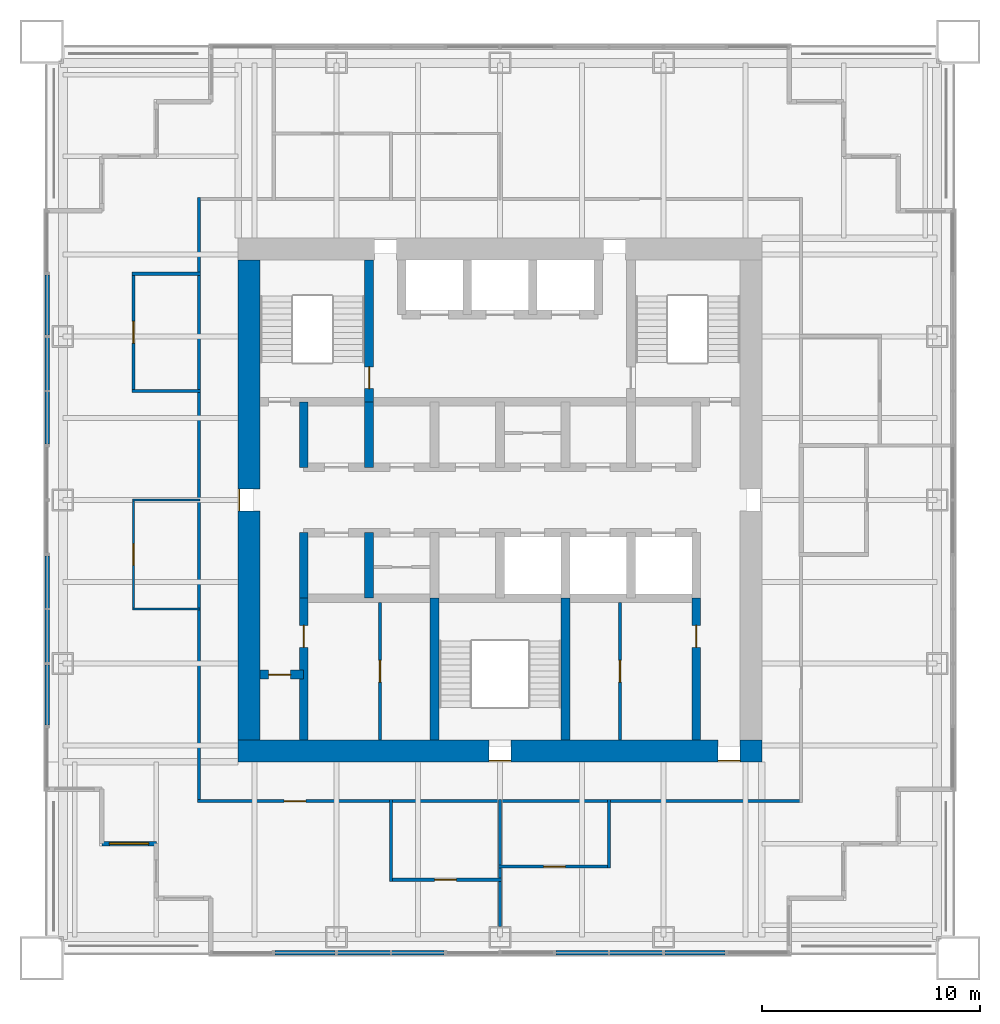
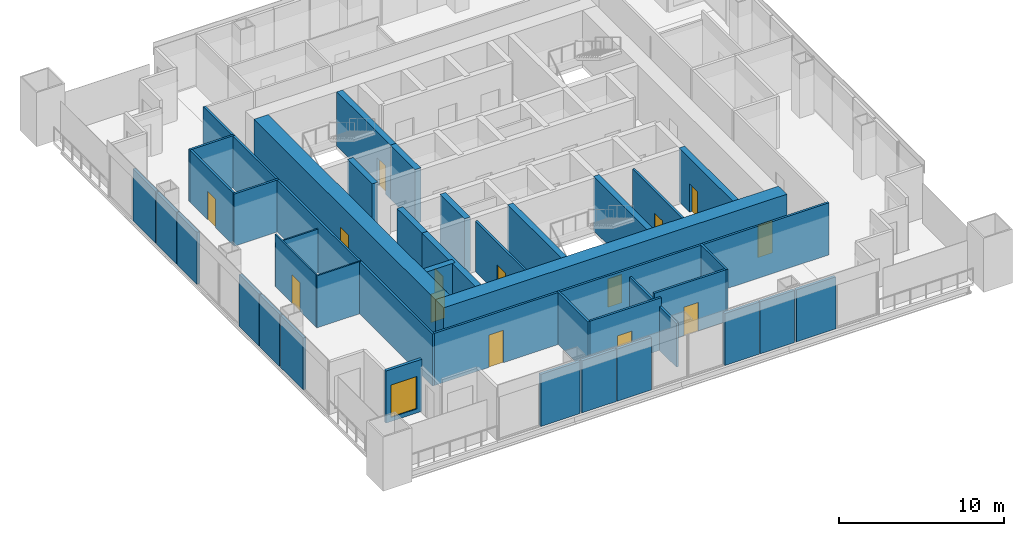
# One storey, part 9 of 14: 40 walls, 14 doors, 1 window, 15 openings.
"""IFC4 building model written with IfcOpenShell, lengths in metres."""

from ifc_helpers import new_model, si_unit, direction, frame, frame_2d, origin, place, context, subcontext, project, spatial, rectangle, extrude, material, layer, layer_set, type_object, element, fill, save


model = new_model("IFC4")

# Units and contexts
model_context = context("Model", 3, precision=1e-05, world=origin(), true_north=direction((0.0, 1.0)))
body_context = subcontext(model_context, "Body", "Model", "MODEL_VIEW")
ifc_project = project(units=[si_unit("LENGTHUNIT", "METRE"), si_unit("AREAUNIT", "SQUARE_METRE"), si_unit("VOLUMEUNIT", "CUBIC_METRE"), si_unit("PLANEANGLEUNIT", "RADIAN"), si_unit("MASSUNIT", "GRAM", prefix="KILO")], contexts=[model_context])

# Site, building, storey
site_placement = place(None, origin())
site = spatial("IfcSite", under=ifc_project, at=site_placement, CompositionType="ELEMENT")
building_placement = place(site_placement, origin())
building = spatial("IfcBuilding", under=site, at=building_placement, Name="Tarangal Relay Tower", CompositionType="ELEMENT")
storey_placement = place(building_placement, frame((0.0, 0.0, 271.89990234375)))
storey = spatial("IfcBuildingStorey", under=building, at=storey_placement, Name="L59", CompositionType="ELEMENT", Elevation=271.89990234375)

# Wall, opening, door
ifc_material_1 = material(Name="Concrete fc' 60 MPa", Category="concrete")
ifc_layer_1 = layer(ifc_material_1, 0.39990234375)
ifc_layer_set_1 = layer_set([ifc_layer_1], Name="Core inner wall 400")
wall_type_1 = type_object("IfcWallType", Name="Core inner wall 400", PredefinedType="SHEAR", material=ifc_layer_set_1)
wall_1_placement = place(storey_placement, frame((-11.0, -8.0, 0.0), z_axis=(0.0, 0.0, 1.0), x_axis=(1.0, 0.0, 0.0)))
wall_1 = element("IfcWall", 1, at=wall_1_placement, inside=storey, type_object=wall_type_1, Name="Core wall YM8 L59", PredefinedType="SHEAR", context=body_context, shape_type="SweptSolid", body=[
    extrude(rectangle(XDim=2.0, YDim=0.39990234375, at=frame_2d((1.0, 0.0))), origin(), (0.0, 0.0, 1.0), 4.0),
])
opening_1_placement = place(wall_1_placement, frame((0.39990234375, 0.0, 0.0)))
opening_1 = element("IfcOpeningElement", 2, at=opening_1_placement, cuts=wall_1, Name="Opening D1", PredefinedType="OPENING", context=body_context, shape_type="SweptSolid", body=[
    extrude(rectangle(XDim=1.0, YDim=2.10009765625, at=frame_2d((0.5, 1.050048828125))), frame((0.0, 0.2099609375, 0.0), z_axis=(0.0, -1.0, 0.0), x_axis=(1.0, 0.0, 0.0)), (0.0, 0.0, 1.0), 0.419921875),
])
ifc_material_2 = material(Name="Hardwood door", Category="wood")
door_type_1 = type_object("IfcDoorType", Name="WC door 1000 x 2100", OperationType="SINGLE_SWING_LEFT", PredefinedType="DOOR", material=ifc_material_2)
door_1_placement = place(opening_1_placement, origin())
door_1 = element("IfcDoor", 3, at=door_1_placement, inside=storey, type_object=door_type_1, Name="Accessible WC door L59", OperationType="SINGLE_SWING_LEFT", OverallHeight=2.10009765625, OverallWidth=1.0, PredefinedType="DOOR", context=body_context, shape_type="SweptSolid", body=[
    extrude(rectangle(XDim=1.0, YDim=2.10009765625, at=frame_2d((0.5, 1.050048828125))), frame((0.0, 0.02490234375, 0.0), z_axis=(0.0, -1.0, 0.0), x_axis=(1.0, 0.0, 0.0)), (0.0, 0.0, 1.0), 0.050048828125),
])
fill(opening_1, door_1)

# Walls
for number, where, z_axis, x_axis, name in (
    (4, (-9.0, 1.5, 0.0), (0.0, 0.0, 1.0), (0.0, 1.0, 0.0), "Core wall XM9N L59"),
    (5, (-9.0, -4.5, 0.0), (0.0, 0.0, 1.0), (0.0, 1.0, 0.0), "Core wall XM9S L59"),
    (6, (-6.0, 1.5, 0.0), (0.0, 0.0, 1.0), (0.0, 1.0, 0.0), "Core wall XM6N L59"),
    (7, (-6.0, -4.5, 0.0), (0.0, 0.0, 1.0), (0.0, 1.0, 0.0), "Core wall XM6S L59"),
):
    element("IfcWall", number, at=place(storey_placement, frame(where, z_axis=z_axis, x_axis=x_axis)), inside=storey, type_object=wall_type_1, Name=name, PredefinedType="SHEAR", context=body_context, shape_type="SweptSolid", body=[
        extrude(rectangle(XDim=3.0, YDim=0.39990234375, at=frame_2d((1.5, 0.0))), origin(), (0.0, 0.0, 1.0), 4.0),
    ])

# Wall, opening, door
wall_2_placement = place(storey_placement, frame((-6.0, 4.5, 0.0), z_axis=(0.0, 0.0, 1.0), x_axis=(0.0, 1.0, 0.0)))
wall_2 = element("IfcWall", 8, at=wall_2_placement, inside=storey, type_object=wall_type_1, Name="Core wall XM6 L59", PredefinedType="SHEAR", context=body_context, shape_type="SweptSolid", body=[
    extrude(rectangle(XDim=6.5, YDim=0.39990234375, at=frame_2d((3.25, 0.0))), origin(), (0.0, 0.0, 1.0), 4.0),
])
opening_2_placement = place(wall_2_placement, frame((0.60009765625, 0.0, 0.0)))
opening_2 = element("IfcOpeningElement", 9, at=opening_2_placement, cuts=wall_2, Name="Opening FD1", PredefinedType="OPENING", context=body_context, shape_type="SweptSolid", body=[
    extrude(rectangle(XDim=1.0, YDim=2.10009765625, at=frame_2d((0.5, 1.050048828125))), frame((0.0, 0.2099609375, 0.0), z_axis=(0.0, -1.0, 0.0), x_axis=(1.0, 0.0, 0.0)), (0.0, 0.0, 1.0), 0.419921875),
])
ifc_material_3 = material(Name="Steel door with hardwood frame", Category="steel")
door_type_2 = type_object("IfcDoorType", Name="Fire door 1000 x 2100", OperationType="SINGLE_SWING_LEFT", PredefinedType="DOOR", material=ifc_material_3)
door_2_placement = place(opening_2_placement, origin())
door_2 = element("IfcDoor", 10, at=door_2_placement, inside=storey, type_object=door_type_2, Name="Stair ST-A door from fire-fighting lobby L59", OperationType="SINGLE_SWING_LEFT", OverallHeight=2.10009765625, OverallWidth=1.0, PredefinedType="DOOR", context=body_context, shape_type="SweptSolid", body=[
    extrude(rectangle(XDim=1.0, YDim=2.10009765625, at=frame_2d((0.5, 1.050048828125))), frame((0.0, 0.02490234375, 0.0), z_axis=(0.0, -1.0, 0.0), x_axis=(1.0, 0.0, 0.0)), (0.0, 0.0, 1.0), 0.050048828125),
])
fill(opening_2, door_2)

wall_3_placement = place(storey_placement, frame((-9.0, -11.0, 0.0), z_axis=(0.0, 0.0, 1.0), x_axis=(0.0, 1.0, 0.0)))
wall_3 = element("IfcWall", 11, at=wall_3_placement, inside=storey, type_object=wall_type_1, Name="Core wall XM9W L59", PredefinedType="SHEAR", context=body_context, shape_type="SweptSolid", body=[
    extrude(rectangle(XDim=6.5, YDim=0.39990234375, at=frame_2d((3.25, 0.0))), origin(), (0.0, 0.0, 1.0), 4.0),
])
opening_3_placement = place(wall_3_placement, frame((4.25, 0.0, 0.0)))
opening_3 = element("IfcOpeningElement", 12, at=opening_3_placement, cuts=wall_3, Name="Opening D1", PredefinedType="OPENING", context=body_context, shape_type="SweptSolid", body=[
    extrude(rectangle(XDim=1.0, YDim=2.10009765625, at=frame_2d((0.5, 1.050048828125))), frame((0.0, 0.2099609375, 0.0), z_axis=(0.0, -1.0, 0.0), x_axis=(1.0, 0.0, 0.0)), (0.0, 0.0, 1.0), 0.419921875),
])
door_3_placement = place(opening_3_placement, origin())
door_3 = element("IfcDoor", 13, at=door_3_placement, inside=storey, type_object=door_type_1, Name="Male WC door L59", OperationType="SINGLE_SWING_LEFT", OverallHeight=2.10009765625, OverallWidth=1.0, PredefinedType="DOOR", context=body_context, shape_type="SweptSolid", body=[
    extrude(rectangle(XDim=1.0, YDim=2.10009765625, at=frame_2d((0.5, 1.050048828125))), frame((0.0, 0.02490234375, 0.0), z_axis=(0.0, -1.0, 0.0), x_axis=(1.0, 0.0, 0.0)), (0.0, 0.0, 1.0), 0.050048828125),
])
fill(opening_3, door_3)

wall_4_placement = place(storey_placement, frame((9.0, -11.0, 0.0), z_axis=(0.0, 0.0, 1.0), x_axis=(0.0, 1.0, 0.0)))
wall_4 = element("IfcWall", 14, at=wall_4_placement, inside=storey, type_object=wall_type_1, Name="Core wall X9W L59", PredefinedType="SHEAR", context=body_context, shape_type="SweptSolid", body=[
    extrude(rectangle(XDim=6.5, YDim=0.39990234375, at=frame_2d((3.25, 0.0))), origin(), (0.0, 0.0, 1.0), 4.0),
])
opening_4_placement = place(wall_4_placement, frame((4.25, 0.0, 0.0)))
opening_4 = element("IfcOpeningElement", 15, at=opening_4_placement, cuts=wall_4, Name="Opening D1", PredefinedType="OPENING", context=body_context, shape_type="SweptSolid", body=[
    extrude(rectangle(XDim=1.0, YDim=2.10009765625, at=frame_2d((0.5, 1.050048828125))), frame((0.0, 0.2099609375, 0.0), z_axis=(0.0, -1.0, 0.0), x_axis=(1.0, 0.0, 0.0)), (0.0, 0.0, 1.0), 0.419921875),
])
door_4_placement = place(opening_4_placement, origin())
door_4 = element("IfcDoor", 16, at=door_4_placement, inside=storey, type_object=door_type_1, Name="Female WC door L59", OperationType="SINGLE_SWING_LEFT", OverallHeight=2.10009765625, OverallWidth=1.0, PredefinedType="DOOR", context=body_context, shape_type="SweptSolid", body=[
    extrude(rectangle(XDim=1.0, YDim=2.10009765625, at=frame_2d((0.5, 1.050048828125))), frame((0.0, 0.02490234375, 0.0), z_axis=(0.0, -1.0, 0.0), x_axis=(1.0, 0.0, 0.0)), (0.0, 0.0, 1.0), 0.050048828125),
])
fill(opening_4, door_4)

# Walls
for number, where, z_axis, x_axis, name in (
    (17, (-3.0, -11.0, 0.0), (0.0, 0.0, 1.0), (0.0, 1.0, 0.0), "Core wall XM3W L59"),
    (18, (3.0, -11.0, 0.0), (0.0, 0.0, 1.0), (0.0, 1.0, 0.0), "Core wall X3W L59"),
):
    element("IfcWall", number, at=place(storey_placement, frame(where, z_axis=z_axis, x_axis=x_axis)), inside=storey, type_object=wall_type_1, Name=name, PredefinedType="SHEAR", context=body_context, shape_type="SweptSolid", body=[
        extrude(rectangle(XDim=6.5, YDim=0.39990234375, at=frame_2d((3.25, 0.0))), origin(), (0.0, 0.0, 1.0), 4.0),
    ])

# Wall, openings, doors
ifc_layer_2 = layer(ifc_material_1, 1.0)
ifc_layer_set_2 = layer_set([ifc_layer_2], Name="Core wall 1000")
wall_type_2 = type_object("IfcWallType", Name="Core wall 1000", PredefinedType="SHEAR", material=ifc_layer_set_2)
wall_5_placement = place(storey_placement, frame((12.0, -11.5, 0.0), z_axis=(0.0, 0.0, 1.0), x_axis=(-1.0, 0.0, 0.0)))
wall_5 = element("IfcWall", 19, at=wall_5_placement, inside=storey, type_object=wall_type_2, Name="Core wall S L59", PredefinedType="SHEAR", context=body_context, shape_type="SweptSolid", body=[
    extrude(rectangle(XDim=24.0, YDim=1.0, at=frame_2d((12.0, 0.0))), origin(), (0.0, 0.0, 1.0), 4.0),
])
opening_5_placement = place(wall_5_placement, frame((11.5, 0.0, 0.0)))
opening_5 = element("IfcOpeningElement", 20, at=opening_5_placement, cuts=wall_5, Name="Opening FD1", PredefinedType="OPENING", context=body_context, shape_type="SweptSolid", body=[
    extrude(rectangle(XDim=1.0, YDim=2.10009765625, at=frame_2d((0.5, 1.050048828125))), frame((0.0, 0.510009765625, 0.0), z_axis=(0.0, -1.0, 0.0), x_axis=(1.0, 0.0, 0.0)), (0.0, 0.0, 1.0), 1.02001953125),
])
opening_6_placement = place(wall_5_placement, frame((1.0, 0.0, 0.0)))
opening_6 = element("IfcOpeningElement", 21, at=opening_6_placement, cuts=wall_5, Name="Opening FD3", PredefinedType="OPENING", context=body_context, shape_type="SweptSolid", body=[
    extrude(rectangle(XDim=1.0, YDim=2.39990234375, at=frame_2d((0.5, 1.199951171875))), frame((0.0, 0.510009765625, 0.0), z_axis=(0.0, -1.0, 0.0), x_axis=(1.0, 0.0, 0.0)), (0.0, 0.0, 1.0), 1.02001953125),
])
door_5_placement = place(opening_5_placement, origin())
door_5 = element("IfcDoor", 22, at=door_5_placement, inside=storey, type_object=door_type_2, Name="Stair ST-C door L59", OperationType="SINGLE_SWING_LEFT", OverallHeight=2.10009765625, OverallWidth=1.0, PredefinedType="DOOR", context=body_context, shape_type="SweptSolid", body=[
    extrude(rectangle(XDim=1.0, YDim=2.10009765625, at=frame_2d((0.5, 1.050048828125))), frame((0.0, 0.48486328125, 0.0), z_axis=(0.0, -1.0, 0.0), x_axis=(1.0, 0.0, 0.0)), (0.0, 0.0, 1.0), 0.050048828125),
])
fill(opening_5, door_5)
door_type_3 = type_object("IfcDoorType", Name="Fire door 1000 x 2400 core entry", OperationType="SINGLE_SWING_RIGHT", PredefinedType="DOOR", material=ifc_material_3)
door_6_placement = place(opening_6_placement, origin())
door_6 = element("IfcDoor", 23, at=door_6_placement, inside=storey, type_object=door_type_3, Name="Core entry door south east L59", OperationType="SINGLE_SWING_RIGHT", OverallHeight=2.39990234375, OverallWidth=1.0, PredefinedType="DOOR", context=body_context, shape_type="SweptSolid", body=[
    extrude(rectangle(XDim=1.0, YDim=2.39990234375, at=frame_2d((0.5, 1.199951171875))), frame((0.0, 0.48486328125, 0.0), z_axis=(0.0, -1.0, 0.0), x_axis=(1.0, 0.0, 0.0)), (0.0, 0.0, 1.0), 0.050048828125),
])
fill(opening_6, door_6)

# Wall, opening, door
wall_6_placement = place(storey_placement, frame((-11.5, -11.0, 0.0), z_axis=(0.0, 0.0, 1.0), x_axis=(0.0, 1.0, 0.0)))
wall_6 = element("IfcWall", 24, at=wall_6_placement, inside=storey, type_object=wall_type_2, Name="Core wall W L59", PredefinedType="SHEAR", context=body_context, shape_type="SweptSolid", body=[
    extrude(rectangle(XDim=22.0, YDim=1.0, at=frame_2d((11.0, 0.0))), origin(), (0.0, 0.0, 1.0), 4.0),
])
opening_7_placement = place(wall_6_placement, frame((10.5, 0.0, 0.0)))
opening_7 = element("IfcOpeningElement", 25, at=opening_7_placement, cuts=wall_6, Name="Opening FD3", PredefinedType="OPENING", context=body_context, shape_type="SweptSolid", body=[
    extrude(rectangle(XDim=1.0, YDim=2.39990234375, at=frame_2d((0.5, 1.199951171875))), frame((0.0, 0.510009765625, 0.0), z_axis=(0.0, -1.0, 0.0), x_axis=(1.0, 0.0, 0.0)), (0.0, 0.0, 1.0), 1.02001953125),
])
door_7_placement = place(opening_7_placement, origin())
door_7 = element("IfcDoor", 26, at=door_7_placement, inside=storey, type_object=door_type_3, Name="Core entry door west L59", OperationType="SINGLE_SWING_RIGHT", OverallHeight=2.39990234375, OverallWidth=1.0, PredefinedType="DOOR", context=body_context, shape_type="SweptSolid", body=[
    extrude(rectangle(XDim=1.0, YDim=2.39990234375, at=frame_2d((0.5, 1.199951171875))), frame((0.0, 0.48486328125, 0.0), z_axis=(0.0, -1.0, 0.0), x_axis=(1.0, 0.0, 0.0)), (0.0, 0.0, 1.0), 0.050048828125),
])
fill(opening_7, door_7)

# Wall, opening, window
ifc_material_4 = material(Name="Black metal clad insulated wall", Category="steel")
ifc_layer_3 = layer(ifc_material_4, 0.199951171875)
ifc_layer_set_3 = layer_set([ifc_layer_3], Name="Corner wall metal clad 200")
wall_type_3 = type_object("IfcWallType", Name="Corner wall metal clad 200", PredefinedType="SOLIDWALL", material=ifc_layer_set_3)
wall_7_placement = place(storey_placement, frame((-15.75, -15.75, 0.0), z_axis=(0.0, 0.0, 1.0), x_axis=(-1.0, 0.0, 0.0)))
wall_7 = element("IfcWall", 27, at=wall_7_placement, inside=storey, type_object=wall_type_3, Name="Facade wall S facade L59", PredefinedType="SOLIDWALL", context=body_context, shape_type="SweptSolid", body=[
    extrude(rectangle(XDim=2.5, YDim=0.199951171875, at=frame_2d((1.25, 0.0))), origin(), (0.0, 0.0, 1.0), 3.85009765625),
])
opening_8_placement = place(wall_7_placement, frame((0.35009765625, 0.0, 0.300048828125)))
opening_8 = element("IfcOpeningElement", 28, at=opening_8_placement, cuts=wall_7, Name="Opening WN2", PredefinedType="OPENING", context=body_context, shape_type="SweptSolid", body=[
    extrude(rectangle(XDim=1.800048828125, YDim=2.39990234375, at=frame_2d((0.89990234375, 1.199951171875))), frame((0.0, 0.10986328125, 0.0), z_axis=(0.0, -1.0, 0.0), x_axis=(1.0, 0.0, 0.0)), (0.0, 0.0, 1.0), 0.219970703125),
])
ifc_material_5 = material(Name="Dark tinted double glazing in black aluminium frame", Category="aluminium")
window_type = type_object("IfcWindowType", Name="Corner window 1800 x 2400", PartitioningType="SINGLE_PANEL", PredefinedType="WINDOW", material=ifc_material_5)
window_placement = place(opening_8_placement, origin())
window = element("IfcWindow", 29, at=window_placement, inside=storey, type_object=window_type, Name="Corner window WN2 S facade L59", OverallHeight=2.39990234375, OverallWidth=1.800048828125, PartitioningType="SINGLE_PANEL", PredefinedType="WINDOW", context=body_context, shape_type="SweptSolid", body=[
    extrude(rectangle(XDim=1.800048828125, YDim=2.39990234375, at=frame_2d((0.89990234375, 1.199951171875))), frame((0.0, 0.030029296875, 0.0), z_axis=(0.0, -1.0, 0.0), x_axis=(1.0, 0.0, 0.0)), (0.0, 0.0, 1.0), 0.06005859375),
])
fill(opening_8, window)

# Walls
ifc_layer_4 = layer(ifc_material_4, 0.199951171875)
ifc_layer_set_4 = layer_set([ifc_layer_4], Name="Facade infill wall metal clad 200")
wall_type_4 = type_object("IfcWallType", Name="Facade infill wall metal clad 200", PredefinedType="SOLIDWALL", material=ifc_layer_set_4)
wall_8_placement = place(storey_placement, frame((10.31494140625, -20.75, 0.0), z_axis=(0.0, 0.0, 1.0), x_axis=(-1.0, 0.0, 0.0)))
element("IfcWall", 30, at=wall_8_placement, inside=storey, type_object=wall_type_4, Name="Facade infill wall S facade L59 1.1", PredefinedType="SOLIDWALL", context=body_context, shape_type="SweptSolid", body=[
    extrude(rectangle(XDim=2.7548828125, YDim=0.199951171875, at=frame_2d((1.37744140625, 0.0))), origin(), (0.0, 0.0, 1.0), 3.85009765625),
])
for number, where, z_axis, x_axis, name in (
    (31, (7.43994140625, -20.75, 0.0), (0.0, 0.0, 1.0), (-1.0, 0.0, 0.0), "Facade infill wall S facade L59 1.1"),
    (32, (4.969970703125, -20.75, 0.0), (0.0, 0.0, 1.0), (-1.0, 0.0, 0.0), "Facade infill wall S facade L59 2.1"),
    (33, (-2.56005859375, -20.75, 0.0), (0.0, 0.0, 1.0), (-1.0, 0.0, 0.0), "Facade infill wall S facade L59 1.1"),
    (34, (-5.030029296875, -20.75, 0.0), (0.0, 0.0, 1.0), (-1.0, 0.0, 0.0), "Facade infill wall S facade L59 2.1"),
):
    element("IfcWall", number, at=place(storey_placement, frame(where, z_axis=z_axis, x_axis=x_axis)), inside=storey, type_object=wall_type_4, Name=name, PredefinedType="SOLIDWALL", context=body_context, shape_type="SweptSolid", body=[
        extrude(rectangle(XDim=2.409912109375, YDim=0.199951171875, at=frame_2d((1.205078125, 0.0))), origin(), (0.0, 0.0, 1.0), 3.85009765625),
    ])
for number, where, z_axis, x_axis, name in (
    (35, (-7.56005859375, -20.75, 0.0), (0.0, 0.0, 1.0), (-1.0, 0.0, 0.0), "Facade infill wall S facade L59 1.1"),
    (36, (-20.75, -10.31494140625, 0.0), (0.0, 0.0, 1.0), (0.0, 1.0, 0.0), "Facade infill wall W facade L59 1.1"),
):
    element("IfcWall", number, at=place(storey_placement, frame(where, z_axis=z_axis, x_axis=x_axis)), inside=storey, type_object=wall_type_4, Name=name, PredefinedType="SOLIDWALL", context=body_context, shape_type="SweptSolid", body=[
        extrude(rectangle(XDim=2.7548828125, YDim=0.199951171875, at=frame_2d((1.37744140625, 0.0))), origin(), (0.0, 0.0, 1.0), 3.85009765625),
    ])
for number, where, z_axis, x_axis, name in (
    (37, (-20.75, -7.43994140625, 0.0), (0.0, 0.0, 1.0), (0.0, 1.0, 0.0), "Facade infill wall W facade L59 1.1"),
    (38, (-20.75, -4.969970703125, 0.0), (0.0, 0.0, 1.0), (0.0, 1.0, 0.0), "Facade infill wall W facade L59 2.1"),
    (39, (-20.75, 2.56005859375, 0.0), (0.0, 0.0, 1.0), (0.0, 1.0, 0.0), "Facade infill wall W facade L59 1.1"),
    (40, (-20.75, 5.030029296875, 0.0), (0.0, 0.0, 1.0), (0.0, 1.0, 0.0), "Facade infill wall W facade L59 2.1"),
):
    element("IfcWall", number, at=place(storey_placement, frame(where, z_axis=z_axis, x_axis=x_axis)), inside=storey, type_object=wall_type_4, Name=name, PredefinedType="SOLIDWALL", context=body_context, shape_type="SweptSolid", body=[
        extrude(rectangle(XDim=2.409912109375, YDim=0.199951171875, at=frame_2d((1.205078125, 0.0))), origin(), (0.0, 0.0, 1.0), 3.85009765625),
    ])
wall_9_placement = place(storey_placement, frame((-20.75, 7.56005859375, 0.0), z_axis=(0.0, 0.0, 1.0), x_axis=(0.0, 1.0, 0.0)))
element("IfcWall", 41, at=wall_9_placement, inside=storey, type_object=wall_type_4, Name="Facade infill wall W facade L59 1.1", PredefinedType="SOLIDWALL", context=body_context, shape_type="SweptSolid", body=[
    extrude(rectangle(XDim=2.7548828125, YDim=0.199951171875, at=frame_2d((1.37744140625, 0.0))), origin(), (0.0, 0.0, 1.0), 3.85009765625),
])
ifc_material_6 = material(Name="Double glazed aluminium framed partition", Category="aluminium")
ifc_layer_5 = layer(ifc_material_6, 0.10009765625)
ifc_layer_set_5 = layer_set([ifc_layer_5], Name="Glazed partition 100")
wall_type_5 = type_object("IfcWallType", Name="Glazed partition 100", PredefinedType="PARTITIONING", material=ifc_layer_set_5)
wall_10_placement = place(storey_placement, frame((-16.85009765625, -5.0, 0.0), z_axis=(0.0, 0.0, 1.0), x_axis=(1.0, 0.0, 0.0)))
element("IfcWall", 42, at=wall_10_placement, inside=storey, type_object=wall_type_5, Name="Partition PT3 L59", PredefinedType="PARTITIONING", context=body_context, shape_type="SweptSolid", body=[
    extrude(rectangle(XDim=3.10009765625, YDim=0.10009765625, at=frame_2d((1.550048828125, 0.0))), origin(), (0.0, 0.0, 1.0), 3.85009765625),
])
wall_11_placement = place(storey_placement, frame((-16.85009765625, 0.0, 0.0), z_axis=(0.0, 0.0, 1.0), x_axis=(1.0, 0.0, 0.0)))
element("IfcWall", 43, at=wall_11_placement, inside=storey, type_object=wall_type_5, Name="Partition PT3 L59", PredefinedType="PARTITIONING", context=body_context, shape_type="SweptSolid", body=[
    extrude(rectangle(XDim=3.10009765625, YDim=0.10009765625, at=frame_2d((1.550048828125, 0.0))), origin(), (0.0, 0.0, 1.0), 3.2431640625),
])

# Wall, opening, door
wall_12_placement = place(storey_placement, frame((-16.800048828125, -5.050048828125, 0.0), z_axis=(0.0, 0.0, 1.0), x_axis=(0.0, 1.0, 0.0)))
wall_12 = element("IfcWall", 44, at=wall_12_placement, inside=storey, type_object=wall_type_5, Name="Partition PT3 L59", PredefinedType="PARTITIONING", context=body_context, shape_type="SweptSolid", body=[
    extrude(rectangle(XDim=5.10009765625, YDim=0.10009765625, at=frame_2d((2.550048828125, 0.0))), origin(), (0.0, 0.0, 1.0), 3.85009765625),
])
opening_9_placement = place(wall_12_placement, frame((2.050048828125, 0.0, 0.0)))
opening_9 = element("IfcOpeningElement", 45, at=opening_9_placement, cuts=wall_12, Name="Opening D3", PredefinedType="OPENING", context=body_context, shape_type="SweptSolid", body=[
    extrude(rectangle(XDim=1.0, YDim=2.10009765625, at=frame_2d((0.5, 1.050048828125))), frame((0.0, 0.06005859375, 0.0), z_axis=(0.0, -1.0, 0.0), x_axis=(1.0, 0.0, 0.0)), (0.0, 0.0, 1.0), 0.1201171875),
])
ifc_material_7 = material(Name="Frameless glass door", Category="glass")
door_type_4 = type_object("IfcDoorType", Name="Glazed door 1000 x 2100", OperationType="SINGLE_SWING_LEFT", PredefinedType="DOOR", material=ifc_material_7)
door_8_placement = place(opening_9_placement, origin())
door_8 = element("IfcDoor", 46, at=door_8_placement, inside=storey, type_object=door_type_4, Name="Door D3 to meeting room L59-08", OperationType="SINGLE_SWING_LEFT", OverallHeight=2.10009765625, OverallWidth=1.0, PredefinedType="DOOR", context=body_context, shape_type="SweptSolid", body=[
    extrude(rectangle(XDim=1.0, YDim=2.10009765625, at=frame_2d((0.5, 1.050048828125))), frame((0.0, 0.02490234375, 0.0), z_axis=(0.0, -1.0, 0.0), x_axis=(1.0, 0.0, 0.0)), (0.0, 0.0, 1.0), 0.050048828125),
])
fill(opening_9, door_8)

ifc_material_8 = material(Name="Gypsum board on steel studs", Category="steel")
ifc_layer_6 = layer(ifc_material_8, 0.14990234375)
ifc_layer_set_6 = layer_set([ifc_layer_6], Name="Partition 150")
wall_type_6 = type_object("IfcWallType", Name="Partition 150", PredefinedType="PARTITIONING", material=ifc_layer_set_6)
wall_13_placement = place(storey_placement, frame((-5.074951171875, -17.39990234375, 0.0), z_axis=(0.0, 0.0, 1.0), x_axis=(1.0, 0.0, 0.0)))
wall_13 = element("IfcWall", 47, at=wall_13_placement, inside=storey, type_object=wall_type_6, Name="Partition PT1 L59", PredefinedType="PARTITIONING", context=body_context, shape_type="SweptSolid", body=[
    extrude(rectangle(XDim=5.14990234375, YDim=0.14990234375, at=frame_2d((2.574951171875, 0.0))), origin(), (0.0, 0.0, 1.0), 3.85009765625),
])
opening_10_placement = place(wall_13_placement, frame((2.074951171875, 0.0, 0.0)))
opening_10 = element("IfcOpeningElement", 48, at=opening_10_placement, cuts=wall_13, Name="Opening D2", PredefinedType="OPENING", context=body_context, shape_type="SweptSolid", body=[
    extrude(rectangle(XDim=1.0, YDim=2.10009765625, at=frame_2d((0.5, 1.050048828125))), frame((0.0, 0.0849609375, 0.0), z_axis=(0.0, -1.0, 0.0), x_axis=(1.0, 0.0, 0.0)), (0.0, 0.0, 1.0), 0.169921875),
])
door_type_5 = type_object("IfcDoorType", Name="Door 1000 x 2100", OperationType="SINGLE_SWING_LEFT", PredefinedType="DOOR", material=ifc_material_2)
door_9_placement = place(opening_10_placement, origin())
door_9 = element("IfcDoor", 49, at=door_9_placement, inside=storey, type_object=door_type_5, Name="Door D2 to tea pantry L59-07", OperationType="SINGLE_SWING_LEFT", OverallHeight=2.10009765625, OverallWidth=1.0, PredefinedType="DOOR", context=body_context, shape_type="SweptSolid", body=[
    extrude(rectangle(XDim=1.0, YDim=2.10009765625, at=frame_2d((0.5, 1.050048828125))), frame((0.0, 0.02490234375, 0.0), z_axis=(0.0, -1.0, 0.0), x_axis=(1.0, 0.0, 0.0)), (0.0, 0.0, 1.0), 0.050048828125),
])
fill(opening_10, door_9)

wall_14_placement = place(storey_placement, frame((-0.074951171875, -16.800048828125, 0.0), z_axis=(0.0, 0.0, 1.0), x_axis=(1.0, 0.0, 0.0)))
wall_14 = element("IfcWall", 50, at=wall_14_placement, inside=storey, type_object=wall_type_6, Name="Partition PT1 L59", PredefinedType="PARTITIONING", context=body_context, shape_type="SweptSolid", body=[
    extrude(rectangle(XDim=5.14990234375, YDim=0.14990234375, at=frame_2d((2.574951171875, 0.0))), origin(), (0.0, 0.0, 1.0), 3.85009765625),
])
opening_11_placement = place(wall_14_placement, frame((2.074951171875, 0.0, 0.0)))
opening_11 = element("IfcOpeningElement", 51, at=opening_11_placement, cuts=wall_14, Name="Opening D2", PredefinedType="OPENING", context=body_context, shape_type="SweptSolid", body=[
    extrude(rectangle(XDim=1.0, YDim=2.10009765625, at=frame_2d((0.5, 1.050048828125))), frame((0.0, 0.0849609375, 0.0), z_axis=(0.0, -1.0, 0.0), x_axis=(1.0, 0.0, 0.0)), (0.0, 0.0, 1.0), 0.169921875),
])
door_10_placement = place(opening_11_placement, origin())
door_10 = element("IfcDoor", 52, at=door_10_placement, inside=storey, type_object=door_type_5, Name="Door D2 to cellular office L59-06", OperationType="SINGLE_SWING_LEFT", OverallHeight=2.10009765625, OverallWidth=1.0, PredefinedType="DOOR", context=body_context, shape_type="SweptSolid", body=[
    extrude(rectangle(XDim=1.0, YDim=2.10009765625, at=frame_2d((0.5, 1.050048828125))), frame((0.0, 0.02490234375, 0.0), z_axis=(0.0, -1.0, 0.0), x_axis=(1.0, 0.0, 0.0)), (0.0, 0.0, 1.0), 0.050048828125),
])
fill(opening_11, door_10)

wall_15_placement = place(storey_placement, frame((-13.875, -13.800048828125, 0.0), z_axis=(0.0, 0.0, 1.0), x_axis=(1.0, 0.0, 0.0)))
wall_15 = element("IfcWall", 53, at=wall_15_placement, inside=storey, type_object=wall_type_6, Name="Partition PT1 L59", PredefinedType="PARTITIONING", context=body_context, shape_type="SweptSolid", body=[
    extrude(rectangle(XDim=27.75, YDim=0.14990234375, at=frame_2d((13.875, 0.0))), origin(), (0.0, 0.0, 1.0), 3.85009765625),
])
opening_12_placement = place(wall_15_placement, frame((3.97509765625, 0.0, 0.0)))
opening_12 = element("IfcOpeningElement", 54, at=opening_12_placement, cuts=wall_15, Name="Opening SD1", PredefinedType="OPENING", context=body_context, shape_type="SweptSolid", body=[
    extrude(rectangle(XDim=1.0, YDim=2.39990234375, at=frame_2d((0.5, 1.199951171875))), frame((0.0, 0.0849609375, 0.0), z_axis=(0.0, -1.0, 0.0), x_axis=(1.0, 0.0, 0.0)), (0.0, 0.0, 1.0), 0.169921875),
])
door_type_6 = type_object("IfcDoorType", Name="Suite entrance door 1000 x 2400", OperationType="SINGLE_SWING_RIGHT", PredefinedType="DOOR", material=ifc_material_3)
door_11_placement = place(opening_12_placement, origin())
door_11 = element("IfcDoor", 55, at=door_11_placement, inside=storey, type_object=door_type_6, Name="Door SD1 to open plan office L59-12", OperationType="SINGLE_SWING_RIGHT", OverallHeight=2.39990234375, OverallWidth=1.0, PredefinedType="DOOR", context=body_context, shape_type="SweptSolid", body=[
    extrude(rectangle(XDim=1.0, YDim=2.39990234375, at=frame_2d((0.5, 1.199951171875))), frame((0.0, 0.02490234375, 0.0), z_axis=(0.0, -1.0, 0.0), x_axis=(1.0, 0.0, 0.0)), (0.0, 0.0, 1.0), 0.050048828125),
])
fill(opening_12, door_11)

# Walls
for number, where, z_axis, x_axis, name in (
    (56, (-16.875, 5.0, 0.0), (0.0, 0.0, 1.0), (1.0, 0.0, 0.0), "Partition PT1 L59"),
    (57, (-16.875, 10.375, 0.0), (0.0, 0.0, 1.0), (1.0, 0.0, 0.0), "Partition PT1 L59"),
):
    element("IfcWall", number, at=place(storey_placement, frame(where, z_axis=z_axis, x_axis=x_axis)), inside=storey, type_object=wall_type_6, Name=name, PredefinedType="PARTITIONING", context=body_context, shape_type="SweptSolid", body=[
        extrude(rectangle(XDim=3.14990234375, YDim=0.14990234375, at=frame_2d((1.574951171875, 0.0))), origin(), (0.0, 0.0, 1.0), 3.85009765625),
    ])

# Wall, opening, door
wall_16_placement = place(storey_placement, frame((-16.800048828125, 4.925048828125, 0.0), z_axis=(0.0, 0.0, 1.0), x_axis=(0.0, 1.0, 0.0)))
wall_16 = element("IfcWall", 58, at=wall_16_placement, inside=storey, type_object=wall_type_6, Name="Partition PT1 L59", PredefinedType="PARTITIONING", context=body_context, shape_type="SweptSolid", body=[
    extrude(rectangle(XDim=5.52490234375, YDim=0.14990234375, at=frame_2d((2.762451171875, 0.0))), origin(), (0.0, 0.0, 1.0), 3.85009765625),
])
opening_13_placement = place(wall_16_placement, frame((2.262451171875, 0.0, 0.0)))
opening_13 = element("IfcOpeningElement", 59, at=opening_13_placement, cuts=wall_16, Name="Opening D2", PredefinedType="OPENING", context=body_context, shape_type="SweptSolid", body=[
    extrude(rectangle(XDim=1.0, YDim=2.10009765625, at=frame_2d((0.5, 1.050048828125))), frame((0.0, 0.0849609375, 0.0), z_axis=(0.0, -1.0, 0.0), x_axis=(1.0, 0.0, 0.0)), (0.0, 0.0, 1.0), 0.169921875),
])
door_12_placement = place(opening_13_placement, origin())
door_12 = element("IfcDoor", 60, at=door_12_placement, inside=storey, type_object=door_type_5, Name="Door D2 to cellular office L59-09", OperationType="SINGLE_SWING_LEFT", OverallHeight=2.10009765625, OverallWidth=1.0, PredefinedType="DOOR", context=body_context, shape_type="SweptSolid", body=[
    extrude(rectangle(XDim=1.0, YDim=2.10009765625, at=frame_2d((0.5, 1.050048828125))), frame((0.0, 0.02490234375, 0.0), z_axis=(0.0, -1.0, 0.0), x_axis=(1.0, 0.0, 0.0)), (0.0, 0.0, 1.0), 0.050048828125),
])
fill(opening_13, door_12)

# Walls
wall_17_placement = place(storey_placement, frame((-13.800048828125, -13.875, 0.0), z_axis=(0.0, 0.0, 1.0), x_axis=(0.0, 1.0, 0.0)))
element("IfcWall", 61, at=wall_17_placement, inside=storey, type_object=wall_type_6, Name="Partition PT1 L59", PredefinedType="PARTITIONING", context=body_context, shape_type="SweptSolid", body=[
    extrude(rectangle(XDim=27.75, YDim=0.14990234375, at=frame_2d((13.875, 0.0))), origin(), (0.0, 0.0, 1.0), 3.85009765625),
])
wall_18_placement = place(storey_placement, frame((-5.0, -17.47509765625, 0.0), z_axis=(0.0, 0.0, 1.0), x_axis=(0.0, 1.0, 0.0)))
element("IfcWall", 62, at=wall_18_placement, inside=storey, type_object=wall_type_6, Name="Partition PT1 L59", PredefinedType="PARTITIONING", context=body_context, shape_type="SweptSolid", body=[
    extrude(rectangle(XDim=3.75, YDim=0.14990234375, at=frame_2d((1.875, 0.0))), origin(), (0.0, 0.0, 1.0), 3.85009765625),
])
wall_19_placement = place(storey_placement, frame((0.0, -19.5400390625, 0.0), z_axis=(0.0, 0.0, 1.0), x_axis=(0.0, 1.0, 0.0)))
element("IfcWall", 63, at=wall_19_placement, inside=storey, type_object=wall_type_6, Name="Partition PT1 L59", PredefinedType="PARTITIONING", context=body_context, shape_type="SweptSolid", body=[
    extrude(rectangle(XDim=5.81494140625, YDim=0.14990234375, at=frame_2d((2.907470703125, 0.0))), origin(), (0.0, 0.0, 1.0), 3.2431640625),
])
wall_20_placement = place(storey_placement, frame((5.0, -16.875, 0.0), z_axis=(0.0, 0.0, 1.0), x_axis=(0.0, 1.0, 0.0)))
element("IfcWall", 64, at=wall_20_placement, inside=storey, type_object=wall_type_6, Name="Partition PT1 L59", PredefinedType="PARTITIONING", context=body_context, shape_type="SweptSolid", body=[
    extrude(rectangle(XDim=3.14990234375, YDim=0.14990234375, at=frame_2d((1.574951171875, 0.0))), origin(), (0.0, 0.0, 1.0), 3.85009765625),
])

# Wall, opening, door
wall_21_placement = place(storey_placement, frame((-5.5, -11.0, 0.0), z_axis=(0.0, 0.0, 1.0), x_axis=(0.0, 1.0, 0.0)))
wall_21 = element("IfcWall", 65, at=wall_21_placement, inside=storey, type_object=wall_type_6, Name="Partition PT1 L59", PredefinedType="PARTITIONING", context=body_context, shape_type="SweptSolid", body=[
    extrude(rectangle(XDim=6.300048828125, YDim=0.14990234375, at=frame_2d((3.14990234375, 0.0))), origin(), (0.0, 0.0, 1.0), 3.75),
])
opening_14_placement = place(wall_21_placement, frame((2.64990234375, 0.0, 0.0)))
opening_14 = element("IfcOpeningElement", 66, at=opening_14_placement, cuts=wall_21, Name="Opening D1", PredefinedType="OPENING", context=body_context, shape_type="SweptSolid", body=[
    extrude(rectangle(XDim=1.0, YDim=2.10009765625, at=frame_2d((0.5, 1.050048828125))), frame((0.0, 0.0849609375, 0.0), z_axis=(0.0, -1.0, 0.0), x_axis=(1.0, 0.0, 0.0)), (0.0, 0.0, 1.0), 0.169921875),
])
door_13_placement = place(opening_14_placement, origin())
door_13 = element("IfcDoor", 67, at=door_13_placement, inside=storey, type_object=door_type_1, Name="Door D1 to male shower and changing room L59-C7B", OperationType="SINGLE_SWING_LEFT", OverallHeight=2.10009765625, OverallWidth=1.0, PredefinedType="DOOR", context=body_context, shape_type="SweptSolid", body=[
    extrude(rectangle(XDim=1.0, YDim=2.10009765625, at=frame_2d((0.5, 1.050048828125))), frame((0.0, 0.02490234375, 0.0), z_axis=(0.0, -1.0, 0.0), x_axis=(1.0, 0.0, 0.0)), (0.0, 0.0, 1.0), 0.050048828125),
])
fill(opening_14, door_13)

wall_22_placement = place(storey_placement, frame((5.5, -11.0, 0.0), z_axis=(0.0, 0.0, 1.0), x_axis=(0.0, 1.0, 0.0)))
wall_22 = element("IfcWall", 68, at=wall_22_placement, inside=storey, type_object=wall_type_6, Name="Partition PT1 L59", PredefinedType="PARTITIONING", context=body_context, shape_type="SweptSolid", body=[
    extrude(rectangle(XDim=6.300048828125, YDim=0.14990234375, at=frame_2d((3.14990234375, 0.0))), origin(), (0.0, 0.0, 1.0), 3.75),
])
opening_15_placement = place(wall_22_placement, frame((2.64990234375, 0.0, 0.0)))
opening_15 = element("IfcOpeningElement", 69, at=opening_15_placement, cuts=wall_22, Name="Opening D1", PredefinedType="OPENING", context=body_context, shape_type="SweptSolid", body=[
    extrude(rectangle(XDim=1.0, YDim=2.10009765625, at=frame_2d((0.5, 1.050048828125))), frame((0.0, 0.0849609375, 0.0), z_axis=(0.0, -1.0, 0.0), x_axis=(1.0, 0.0, 0.0)), (0.0, 0.0, 1.0), 0.169921875),
])
door_14_placement = place(opening_15_placement, origin())
door_14 = element("IfcDoor", 70, at=door_14_placement, inside=storey, type_object=door_type_1, Name="Door D1 to female shower and changing room L59-C10B", OperationType="SINGLE_SWING_LEFT", OverallHeight=2.10009765625, OverallWidth=1.0, PredefinedType="DOOR", context=body_context, shape_type="SweptSolid", body=[
    extrude(rectangle(XDim=1.0, YDim=2.10009765625, at=frame_2d((0.5, 1.050048828125))), frame((0.0, 0.02490234375, 0.0), z_axis=(0.0, -1.0, 0.0), x_axis=(1.0, 0.0, 0.0)), (0.0, 0.0, 1.0), 0.050048828125),
])
fill(opening_15, door_14)

save(model, "model.ifc")
